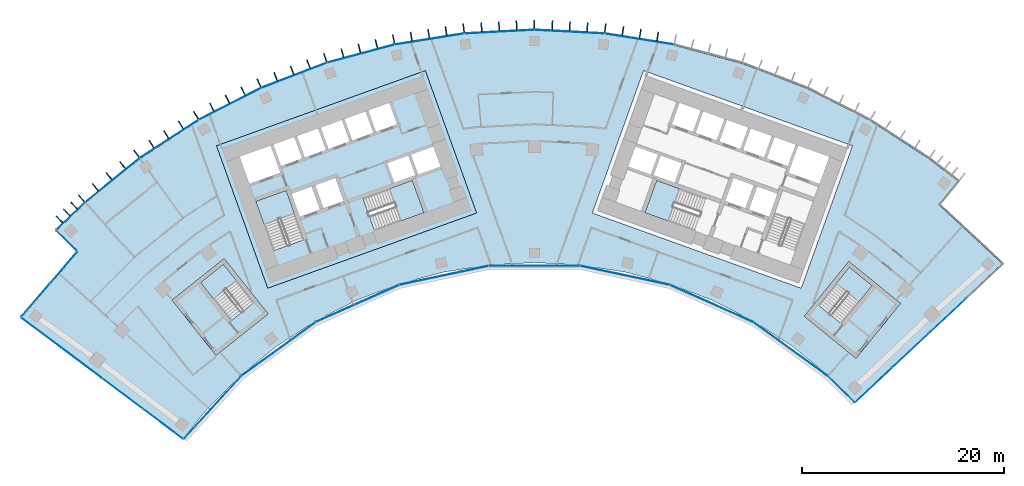
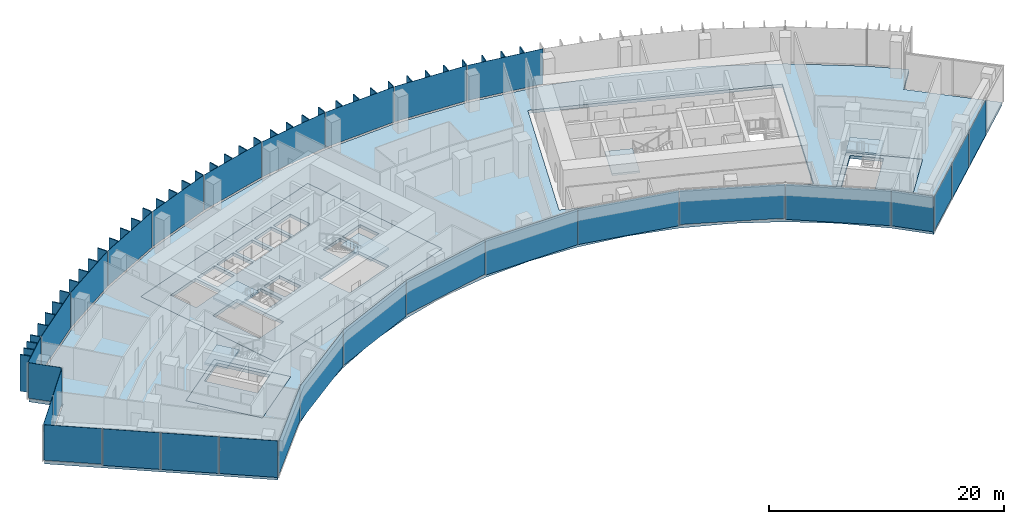
# One storey, part 12 of 21: 68 plates, 9 slabs, 11 elements without a shape of their own.
"""IFC4 building model written with IfcOpenShell, lengths in metres."""

import ifcopenshell
import ifcopenshell.guid

model = None  # the IFC model being written
_history = None  # IfcOwnerHistory: only IFC2X3 demands one
_inside = {}  # id of a spatial element -> (the spatial element, [elements in it])
_under = {}  # id of a project, library or spatial element -> (it, [spatial elements below it])
_declared = {}  # id of a project -> (the project, [libraries it declares])
_typed = {}  # id of a type object -> (the type object, [elements of that type])
_made_of = {}  # id of a material, layer set ... -> (it, [elements and type objects made of it])


def new_model(schema):
    """Start an empty IFC model of exactly this schema.

    Asked for "IFC4X3", IfcOpenShell would pick the latest addendum, in which some entities
    have other attributes; the version numbers below select the first issue.
    IFC2X3 requires an IfcOwnerHistory on every rooted entity: one is made here for all.
    """
    global model, _history
    if schema == "IFC4X3":
        model = ifcopenshell.file(schema_version=(4, 3, 0, 0))
    else:
        model = ifcopenshell.file(schema=schema)
    _inside.clear()
    _under.clear()
    _declared.clear()
    _typed.clear()
    _made_of.clear()
    _history = None
    if model.schema == "IFC2X3":
        org = make("IfcOrganization", Name="unknown")
        user = make(
            "IfcPersonAndOrganization",
            ThePerson=make("IfcPerson", FamilyName="unknown"),
            TheOrganization=org,
        )
        app = make(
            "IfcApplication",
            ApplicationDeveloper=org,
            Version="unknown",
            ApplicationFullName="unknown",
            ApplicationIdentifier="unknown",
        )
        _history = make(
            "IfcOwnerHistory",
            OwningUser=user,
            OwningApplication=app,
            ChangeAction="ADDED",
            CreationDate=0,
        )
    return model


def make(cls, **values):
    """One entity of the class cls with the attributes given. An attribute that is None is left unset."""
    return model.create_entity(
        cls, **{name: value for name, value in values.items() if value is not None}
    )


def rooted(cls, **values):
    """An entity with a GlobalId (a new one), such as an element, a storey or a relation."""
    return make(cls, GlobalId=ifcopenshell.guid.new(), OwnerHistory=_history, **values)


def si_unit(unit_type, name, prefix=None):
    """IfcSIUnit, for example si_unit("LENGTHUNIT", "METRE", prefix="MILLI")."""
    return make("IfcSIUnit", UnitType=unit_type, Prefix=prefix, Name=name)


def assignment(units):
    """IfcUnitAssignment: the units of a project."""
    return None if units is None else make("IfcUnitAssignment", Units=units)


def point(xyz):
    """IfcCartesianPoint."""
    return None if xyz is None else make("IfcCartesianPoint", Coordinates=xyz)


def direction(xyz):
    """IfcDirection."""
    return None if xyz is None else make("IfcDirection", DirectionRatios=xyz)


def frame(location, z_axis=None, x_axis=None):
    """IfcAxis2Placement3D, a coordinate frame: its origin and axes. An axis left out is left unset."""
    return make(
        "IfcAxis2Placement3D",
        Location=point(location),
        Axis=direction(z_axis),
        RefDirection=direction(x_axis),
    )


def frame_2d(location, x_axis=None):
    """IfcAxis2Placement2D, a coordinate frame in the plane: its origin and x axis."""
    return make(
        "IfcAxis2Placement2D", Location=point(location), RefDirection=direction(x_axis)
    )


def origin():
    """The frame at (0, 0, 0) with its axes left unset."""
    return frame((0.0, 0.0, 0.0))


def origin_2d():
    """The frame at (0, 0) in the plane with its x axis left unset."""
    return frame_2d((0.0, 0.0))


def place(relative_to, where):
    """IfcLocalPlacement: puts the frame where relative to a parent placement (None: the world)."""
    return make(
        "IfcLocalPlacement", PlacementRelTo=relative_to, RelativePlacement=where
    )


def context(
    kind, dimensions, precision=None, world=None, true_north=None, identifier=None
):
    """IfcGeometricRepresentationContext, for example the 3D "Model" context."""
    return make(
        "IfcGeometricRepresentationContext",
        ContextIdentifier=identifier,
        ContextType=kind,
        CoordinateSpaceDimension=dimensions,
        Precision=precision,
        WorldCoordinateSystem=world,
        TrueNorth=true_north,
    )


def subcontext(parent, identifier, kind, view, scale=None):
    """IfcGeometricRepresentationSubContext, for example "Body" below "Model"."""
    return make(
        "IfcGeometricRepresentationSubContext",
        ContextIdentifier=identifier,
        ContextType=kind,
        ParentContext=parent,
        TargetScale=scale,
        TargetView=view,
    )


def project(units=None, contexts=None):
    """IfcProject with its units and contexts."""
    return rooted(
        "IfcProject",
        Name="project",
        RepresentationContexts=contexts,
        UnitsInContext=assignment(units),
    )


def spatial(cls, under=None, at=None, **own):
    """A site, building, storey or space (cls), placed at a placement, below another one or the project."""
    s = rooted(cls, ObjectPlacement=at, **own)
    if under is not None:
        _under.setdefault(under.id(), (under, []))[1].append(s)
    return s


def polyline(points):
    """IfcPolyline through the points."""
    return make("IfcPolyline", Points=[point(p) for p in points])


def profile(cls, at=None, kind="AREA", **sizes):
    """A parametric profile (cls). Its sizes go by their IFC names, for example OverallWidth=200.0."""
    return make(cls, ProfileType=kind, Position=at, **sizes)


def rectangle(**sizes):
    """IfcRectangleProfileDef."""
    return profile("IfcRectangleProfileDef", **sizes)


def outline(outer, holes=None, kind="AREA"):
    """IfcArbitraryClosedProfileDef: a profile drawn as a closed curve; with holes, ...WithVoids."""
    if holes is None:
        return make("IfcArbitraryClosedProfileDef", ProfileType=kind, OuterCurve=outer)
    return make(
        "IfcArbitraryProfileDefWithVoids",
        ProfileType=kind,
        OuterCurve=outer,
        InnerCurves=holes,
    )


def extrude(swept, where, along, depth):
    """IfcExtrudedAreaSolid: the profile swept, set in the frame where, extruded along a direction by depth."""
    return make(
        "IfcExtrudedAreaSolid",
        SweptArea=swept,
        Position=where,
        ExtrudedDirection=direction(along),
        Depth=depth,
    )


def shape(context_of_items, identifier, shape_type, items):
    """IfcShapeRepresentation: the items that make up one representation, for example the "Body"."""
    return make(
        "IfcShapeRepresentation",
        ContextOfItems=context_of_items,
        RepresentationIdentifier=identifier,
        RepresentationType=shape_type,
        Items=items,
    )


def material(Name=None, Category=None):
    """IfcMaterial."""
    return make("IfcMaterial", Name=Name, Category=Category)


def layer(
    of_material, thickness, ventilated=None, Name=None, Category=None, Priority=None
):
    """IfcMaterialLayer: one layer of a wall or slab, of a material (None: an air gap)."""
    return make(
        "IfcMaterialLayer",
        Material=of_material,
        LayerThickness=thickness,
        IsVentilated=ventilated,
        Name=Name,
        Category=Category,
        Priority=Priority,
    )


def layer_set(layers, Name=None):
    """IfcMaterialLayerSet."""
    return make("IfcMaterialLayerSet", MaterialLayers=layers, LayerSetName=Name)


def made_of(thing, what):
    """Note that an element or type object is made of a material, layer set ...; save() writes the relation."""
    if what is not None:
        _made_of.setdefault(what.id(), (what, []))[1].append(thing)
    return thing


def type_object(cls, material=None, **own):
    """A type object (cls), such as IfcWallType, which elements share."""
    return made_of(rooted(cls, **own), material)


def element(
    cls,
    number,
    at=None,
    inside=None,
    cuts=None,
    type_object=None,
    material=None,
    context=None,
    identifier="Body",
    shape_type=None,
    held_by="IfcProductDefinitionShape",
    body=None,
    shapes=None,
    **own,
):
    """One element of the class cls, such as IfcWall. Its Tag is "e" and its number.

    at: its placement. inside: the storey or other place that contains it. cuts: it is an
    opening in that element (IfcRelVoidsElement). A single representation is given by context,
    identifier, shape_type and body (its items); several are given by shapes. held_by: the class
    of the entity that holds the representations. save() writes the other relations.
    """
    e = rooted(cls, Tag="e%d" % number, ObjectPlacement=at, **own)
    if body is not None:
        shapes = [shape(context, identifier, shape_type, body)]
    if shapes is not None:
        e.Representation = make(held_by, Representations=shapes)
    if inside is not None:
        _inside.setdefault(inside.id(), (inside, []))[1].append(e)
    if cuts is not None:
        rooted(
            "IfcRelVoidsElement", RelatingBuildingElement=cuts, RelatedOpeningElement=e
        )
    if type_object is not None:
        _typed.setdefault(type_object.id(), (type_object, []))[1].append(e)
    return made_of(e, material)


def aggregate(whole, parts):
    """IfcRelAggregates: a whole, such as a stair, and the parts it consists of."""
    return rooted("IfcRelAggregates", RelatingObject=whole, RelatedObjects=parts)


def save(model, path):
    """Write the relations noted so far, then the file.

    IfcRelAggregates (storeys below a building ...), IfcRelContainedInSpatialStructure (elements
    in a storey), IfcRelDefinesByType, IfcRelAssociatesMaterial and IfcRelDeclares: one each for
    every whole, place, type object, material and project.
    """
    for whole, parts in _under.values():
        aggregate(whole, parts)
    for where, things in _inside.values():
        rooted(
            "IfcRelContainedInSpatialStructure",
            RelatedElements=things,
            RelatingStructure=where,
        )
    for kind, things in _typed.values():
        rooted("IfcRelDefinesByType", RelatedObjects=things, RelatingType=kind)
    for what, things in _made_of.values():
        rooted("IfcRelAssociatesMaterial", RelatedObjects=things, RelatingMaterial=what)
    for by, libraries in _declared.values():
        rooted("IfcRelDeclares", RelatingContext=by, RelatedDefinitions=libraries)
    model.write(path)


model = new_model("IFC4")

# Units and contexts
model_context = context("Model", 3, precision=1e-05, world=origin(), true_north=direction((0.0, 1.0)))
body_context = subcontext(model_context, "Body", "Model", "MODEL_VIEW")
ifc_project = project(units=[si_unit("LENGTHUNIT", "METRE"), si_unit("AREAUNIT", "SQUARE_METRE"), si_unit("VOLUMEUNIT", "CUBIC_METRE"), si_unit("PLANEANGLEUNIT", "RADIAN"), si_unit("MASSUNIT", "GRAM", prefix="KILO")], contexts=[model_context])

# Site, building, storey
site_placement = place(None, origin())
site = spatial("IfcSite", under=ifc_project, at=site_placement, CompositionType="ELEMENT")
building_placement = place(site_placement, origin())
building = spatial("IfcBuilding", under=site, at=building_placement, Name="Stone Belt Terrace Tower", CompositionType="ELEMENT")
storey_placement = place(building_placement, frame((0.0, 0.0, 189.60009765625)))
storey = spatial("IfcBuildingStorey", under=building, at=storey_placement, Name="L46", CompositionType="ELEMENT", Elevation=189.60009765625)

# Curtain wall, plates
ifc_material_1 = material(Name="Aluminium 6063-T6 anodised frame", Category="aluminium")
ifc_layer_1 = layer(ifc_material_1, 0.14990234375)
ifc_layer_set_1 = layer_set([ifc_layer_1], Name="CW-A unitised convex-face curtain wall")
curtain_wall_type_1 = type_object("IfcCurtainWallType", Name="CW-A unitised convex-face curtain wall", PredefinedType="NOTDEFINED", material=ifc_layer_set_1)
curtain_wall_1_placement = place(storey_placement, origin())
curtain_wall_1 = element("IfcCurtainWall", 1, at=curtain_wall_1_placement, inside=storey, type_object=curtain_wall_type_1, Name="CW-A convex face L46", PredefinedType="NOTDEFINED")
ifc_material_2 = material(Name="Clear double glazed unit")
ifc_layer_2 = layer(ifc_material_2, 0.031982421875)
ifc_layer_set_2 = layer_set([ifc_layer_2], Name="CW-A glass panel 32")
plate_type_1 = type_object("IfcPlateType", Name="CW-A glass panel 32", PredefinedType="CURTAIN_PANEL", material=ifc_layer_set_2)
plate_1_placement = place(storey_placement, frame((10.400390625, 65.665283203125, 0.14013671875), z_axis=(0.0, 0.0, 1.0), x_axis=(-0.987688340595, 0.15643446504, 0.0)))
plate_1 = element("IfcPlate", 2, at=plate_1_placement, type_object=plate_type_1, Name="CW-A panel 6.1", PredefinedType="CURTAIN_PANEL", context=body_context, shape_type="SweptSolid", body=[
    extrude(rectangle(XDim=6.90087890625, YDim=0.031982421875, at=origin_2d()), origin(), (0.0, 0.0, 1.0), 3.659912109375),
])
plate_2_placement = place(storey_placement, frame((3.4794921875, 66.392822265625, 0.14013671875), z_axis=(0.0, 0.0, 1.0), x_axis=(-0.998629534755, 0.052335956243, 0.0)))
plate_2 = element("IfcPlate", 3, at=plate_2_placement, type_object=plate_type_1, Name="CW-A panel 7.1", PredefinedType="CURTAIN_PANEL", context=body_context, shape_type="SweptSolid", body=[
    extrude(rectangle(XDim=6.90087890625, YDim=0.031982421875, at=origin_2d()), origin(), (0.0, 0.0, 1.0), 3.659912109375),
])
plate_3_placement = place(storey_placement, frame((-3.4794921875, 66.392822265625, 0.14013671875), z_axis=(0.0, 0.0, 1.0), x_axis=(-0.998629534755, -0.052335956243, 0.0)))
plate_3 = element("IfcPlate", 4, at=plate_3_placement, type_object=plate_type_1, Name="CW-A panel 8.1", PredefinedType="CURTAIN_PANEL", context=body_context, shape_type="SweptSolid", body=[
    extrude(rectangle(XDim=6.90087890625, YDim=0.031982421875, at=origin_2d()), origin(), (0.0, 0.0, 1.0), 3.659912109375),
])
plate_4_placement = place(storey_placement, frame((-10.400390625, 65.665283203125, 0.14013671875), z_axis=(0.0, 0.0, 1.0), x_axis=(-0.987688340595, -0.15643446504, 0.0)))
plate_4 = element("IfcPlate", 5, at=plate_4_placement, type_object=plate_type_1, Name="CW-A panel 9.1", PredefinedType="CURTAIN_PANEL", context=body_context, shape_type="SweptSolid", body=[
    extrude(rectangle(XDim=6.90087890625, YDim=0.031982421875, at=origin_2d()), origin(), (0.0, 0.0, 1.0), 3.659912109375),
])
plate_5_placement = place(storey_placement, frame((-17.207275390625, 64.218505859375, 0.14013671875), z_axis=(0.0, 0.0, 1.0), x_axis=(-0.965925826289, -0.258819045103, 0.0)))
plate_5 = element("IfcPlate", 6, at=plate_5_placement, type_object=plate_type_1, Name="CW-A panel 10.1", PredefinedType="CURTAIN_PANEL", context=body_context, shape_type="SweptSolid", body=[
    extrude(rectangle(XDim=6.90087890625, YDim=0.031982421875, at=origin_2d()), origin(), (0.0, 0.0, 1.0), 3.659912109375),
])
plate_6_placement = place(storey_placement, frame((-23.82568359375, 62.068115234375, 0.14013671875), z_axis=(0.0, 0.0, 1.0), x_axis=(-0.933580426497, -0.358367949545, 0.0)))
plate_6 = element("IfcPlate", 7, at=plate_6_placement, type_object=plate_type_1, Name="CW-A panel 11.1", PredefinedType="CURTAIN_PANEL", context=body_context, shape_type="SweptSolid", body=[
    extrude(rectangle(XDim=6.90087890625, YDim=0.031982421875, at=origin_2d()), origin(), (0.0, 0.0, 1.0), 3.659912109375),
])
plate_7_placement = place(storey_placement, frame((-30.18310546875, 59.237548828125, 0.14013671875), z_axis=(0.0, 0.0, 1.0), x_axis=(-0.891006524188, -0.45399049974, 0.0)))
plate_7 = element("IfcPlate", 8, at=plate_7_placement, type_object=plate_type_1, Name="CW-A panel 12.1", PredefinedType="CURTAIN_PANEL", context=body_context, shape_type="SweptSolid", body=[
    extrude(rectangle(XDim=6.90087890625, YDim=0.031982421875, at=origin_2d()), origin(), (0.0, 0.0, 1.0), 3.659912109375),
])
plate_8_placement = place(storey_placement, frame((-36.209716796875, 55.758056640625, 0.14013671875), z_axis=(0.0, 0.0, 1.0), x_axis=(-0.838670567945, -0.544639035015, 0.0)))
plate_8 = element("IfcPlate", 9, at=plate_8_placement, type_object=plate_type_1, Name="CW-A panel 13.1", PredefinedType="CURTAIN_PANEL", context=body_context, shape_type="SweptSolid", body=[
    extrude(rectangle(XDim=6.90087890625, YDim=0.031982421875, at=origin_2d()), origin(), (0.0, 0.0, 1.0), 3.659912109375),
])
plate_9_placement = place(storey_placement, frame((-41.839599609375, 51.667724609375, 0.14013671875), z_axis=(0.0, 0.0, 1.0), x_axis=(-0.777145961457, -0.62932039105, 0.0)))
plate_9 = element("IfcPlate", 10, at=plate_9_placement, type_object=plate_type_1, Name="CW-A panel 14.1", PredefinedType="CURTAIN_PANEL", context=body_context, shape_type="SweptSolid", body=[
    extrude(rectangle(XDim=6.900634765625, YDim=0.031982421875, at=origin_2d()), origin(), (0.0, 0.0, 1.0), 3.659912109375),
])
plate_10_placement = place(storey_placement, frame((-45.9765625, 48.109619140625, 0.14013671875), z_axis=(0.0, 0.0, 1.0), x_axis=(-0.723120883539, -0.690721497993, 0.0)))
plate_10 = element("IfcPlate", 11, at=plate_10_placement, type_object=plate_type_1, Name="CW-A panel 15.1", PredefinedType="CURTAIN_PANEL", context=body_context, shape_type="SweptSolid", body=[
    extrude(rectangle(XDim=3.888671875, YDim=0.031982421875, at=origin_2d()), origin(), (0.0, 0.0, 1.0), 3.659912109375),
])
aggregate(curtain_wall_1, [plate_1, plate_2, plate_3, plate_4, plate_5, plate_6, plate_7, plate_8, plate_9, plate_10])

ifc_layer_3 = layer(ifc_material_1, 0.14990234375)
ifc_layer_set_3 = layer_set([ifc_layer_3], Name="CW-B unitised concave-face curtain wall")
curtain_wall_type_2 = type_object("IfcCurtainWallType", Name="CW-B unitised concave-face curtain wall", PredefinedType="NOTDEFINED", material=ifc_layer_set_3)
curtain_wall_2_placement = place(storey_placement, origin())
curtain_wall_2 = element("IfcCurtainWall", 12, at=curtain_wall_2_placement, inside=storey, type_object=curtain_wall_type_2, Name="CW-B concave face L46", PredefinedType="NOTDEFINED")
ifc_layer_4 = layer(ifc_material_2, 0.030029296875)
ifc_layer_set_4 = layer_set([ifc_layer_4], Name="CW-B glass panel 30")
plate_type_2 = type_object("IfcPlateType", Name="CW-B glass panel 30", PredefinedType="CURTAIN_PANEL", material=ifc_layer_set_4)
plate_11_placement = place(storey_placement, frame((-31.9111328125, 29.148681640625, 0.119873046875), z_axis=(0.0, 0.0, 1.0), x_axis=(0.674760998748, 0.73803630979, 0.0)))
plate_11 = element("IfcPlate", 13, at=plate_11_placement, type_object=plate_type_2, Name="CW-B panel 1.1", PredefinedType="CURTAIN_PANEL", context=body_context, shape_type="SweptSolid", body=[
    extrude(rectangle(XDim=8.39501953125, YDim=0.030029296875, at=origin_2d()), origin(), (0.0, 0.0, 1.0), 3.56005859375),
])
plate_12_placement = place(storey_placement, frame((-25.384765625, 34.938720703125, 0.0), z_axis=(0.0, 0.0, 1.0), x_axis=(0.809016994375, 0.587785252292, 0.0)))
plate_12 = element("IfcPlate", 14, at=plate_12_placement, type_object=plate_type_2, Name="CW-B panel 2.1", PredefinedType="CURTAIN_PANEL", context=body_context, shape_type="SweptSolid", body=[
    extrude(rectangle(XDim=9.013427734375, YDim=0.030029296875, at=origin_2d()), origin(), (0.0, 0.0, 1.0), 3.679931640625),
])
plate_13_placement = place(storey_placement, frame((-17.565673828125, 39.453125, 0.0), z_axis=(0.0, 0.0, 1.0), x_axis=(0.913545457643, 0.406736643076, 0.0)))
plate_13 = element("IfcPlate", 15, at=plate_13_placement, type_object=plate_type_2, Name="CW-B panel 3.1", PredefinedType="CURTAIN_PANEL", context=body_context, shape_type="SweptSolid", body=[
    extrude(rectangle(XDim=9.0126953125, YDim=0.030029296875, at=origin_2d()), origin(), (0.0, 0.0, 1.0), 3.679931640625),
])
plate_14_placement = place(storey_placement, frame((-8.97900390625, 42.242919921875, 0.119873046875), z_axis=(0.0, 0.0, 1.0), x_axis=(0.978147600734, 0.207911690818, 0.0)))
plate_14 = element("IfcPlate", 16, at=plate_14_placement, type_object=plate_type_2, Name="CW-B panel 4.1", PredefinedType="CURTAIN_PANEL", context=body_context, shape_type="SweptSolid", body=[
    extrude(rectangle(XDim=9.0126953125, YDim=0.030029296875, at=origin_2d()), origin(), (0.0, 0.0, 1.0), 3.56005859375),
])
plate_15_placement = place(storey_placement, frame((0.0, 43.186767578125, 0.0), z_axis=(0.0, 0.0, 1.0), x_axis=(1.0, 0.0, 0.0)))
plate_15 = element("IfcPlate", 17, at=plate_15_placement, type_object=plate_type_2, Name="CW-B panel 5.1", PredefinedType="CURTAIN_PANEL", context=body_context, shape_type="SweptSolid", body=[
    extrude(rectangle(XDim=9.0126953125, YDim=0.030029296875, at=origin_2d()), origin(), (0.0, 0.0, 1.0), 3.679931640625),
])
plate_16_placement = place(storey_placement, frame((8.97900390625, 42.242919921875, 0.0), z_axis=(0.0, 0.0, 1.0), x_axis=(0.978147600734, -0.207911690818, 0.0)))
plate_16 = element("IfcPlate", 18, at=plate_16_placement, type_object=plate_type_2, Name="CW-B panel 6.1", PredefinedType="CURTAIN_PANEL", context=body_context, shape_type="SweptSolid", body=[
    extrude(rectangle(XDim=9.0126953125, YDim=0.030029296875, at=origin_2d()), origin(), (0.0, 0.0, 1.0), 3.679931640625),
])
plate_17_placement = place(storey_placement, frame((17.565673828125, 39.453125, 0.119873046875), z_axis=(0.0, 0.0, 1.0), x_axis=(0.913545457643, -0.406736643076, 0.0)))
plate_17 = element("IfcPlate", 19, at=plate_17_placement, type_object=plate_type_2, Name="CW-B panel 7.1", PredefinedType="CURTAIN_PANEL", context=body_context, shape_type="SweptSolid", body=[
    extrude(rectangle(XDim=9.0126953125, YDim=0.030029296875, at=origin_2d()), origin(), (0.0, 0.0, 1.0), 3.56005859375),
])
plate_18_placement = place(storey_placement, frame((25.386474609375, 34.9375, 0.0), z_axis=(0.0, 0.0, 1.0), x_axis=(0.809016994375, -0.587785252292, 0.0)))
plate_18 = element("IfcPlate", 20, at=plate_18_placement, type_object=plate_type_2, Name="CW-B panel 8.1", PredefinedType="CURTAIN_PANEL", context=body_context, shape_type="SweptSolid", body=[
    extrude(rectangle(XDim=9.017333984375, YDim=0.030029296875, at=origin_2d()), origin(), (0.0, 0.0, 1.0), 3.679931640625),
])
plate_19_placement = place(storey_placement, frame((30.39013671875, 30.9638671875, 0.0), z_axis=(0.0, 0.0, 1.0), x_axis=(0.713994037945, -0.700151779102, 0.0)))
plate_19 = element("IfcPlate", 21, at=plate_19_placement, type_object=plate_type_2, Name="CW-B panel 9.1", PredefinedType="CURTAIN_PANEL", context=body_context, shape_type="SweptSolid", body=[
    extrude(rectangle(XDim=3.66845703125, YDim=0.030029296875, at=origin_2d()), origin(), (0.0, 0.0, 1.0), 3.679931640625),
])
aggregate(curtain_wall_2, [plate_11, plate_12, plate_13, plate_14, plate_15, plate_16, plate_17, plate_18, plate_19])

ifc_layer_5 = layer(ifc_material_1, 0.14990234375)
ifc_layer_set_5 = layer_set([ifc_layer_5], Name="CW-C stick curtain wall, horn ends and notches")
curtain_wall_type_3 = type_object("IfcCurtainWallType", Name="CW-C stick curtain wall, horn ends and notches", PredefinedType="NOTDEFINED", material=ifc_layer_set_5)
curtain_wall_3_placement = place(storey_placement, origin())
curtain_wall_3 = element("IfcCurtainWall", 22, at=curtain_wall_3_placement, inside=storey, type_object=curtain_wall_type_3, Name="CW-C end face L46", PredefinedType="NOTDEFINED")
ifc_layer_6 = layer(ifc_material_2, 0.028076171875)
ifc_layer_set_6 = layer_set([ifc_layer_6], Name="CW-C glass panel 28")
plate_type_3 = type_object("IfcPlateType", Name="CW-C glass panel 28", PredefinedType="CURTAIN_PANEL", material=ifc_layer_set_6)
plate_20_placement = place(storey_placement, frame((33.616455078125, 31.37890625, 0.119873046875), z_axis=(0.0, 0.0, 1.0), x_axis=(0.729904219708, 0.683549434973, 0.0)))
plate_20 = element("IfcPlate", 23, at=plate_20_placement, type_object=plate_type_3, Name="CW-C panel 1.1", PredefinedType="CURTAIN_PANEL", context=body_context, shape_type="SweptSolid", body=[
    extrude(rectangle(XDim=4.96826171875, YDim=0.028076171875, at=origin_2d()), origin(), (0.0, 0.0, 1.0), 3.56005859375),
])
plate_21_placement = place(storey_placement, frame((37.2763671875, 34.806396484375, 0.0), z_axis=(0.0, 0.0, 1.0), x_axis=(0.729904219708, 0.683549434973, 0.0)))
plate_21 = element("IfcPlate", 24, at=plate_21_placement, type_object=plate_type_3, Name="CW-C panel 2.1", PredefinedType="CURTAIN_PANEL", context=body_context, shape_type="SweptSolid", body=[
    extrude(rectangle(XDim=4.93994140625, YDim=0.028076171875, at=origin_2d()), origin(), (0.0, 0.0, 1.0), 3.679931640625),
])
plate_22_placement = place(storey_placement, frame((40.92578125, 38.22412109375, 0.0), z_axis=(0.0, 0.0, 1.0), x_axis=(0.729904219708, 0.683549434973, 0.0)))
plate_22 = element("IfcPlate", 25, at=plate_22_placement, type_object=plate_type_3, Name="CW-C panel 3.1", PredefinedType="CURTAIN_PANEL", context=body_context, shape_type="SweptSolid", body=[
    extrude(rectangle(XDim=4.93994140625, YDim=0.028076171875, at=origin_2d()), origin(), (0.0, 0.0, 1.0), 3.679931640625),
])
aggregate(curtain_wall_3, [plate_20, plate_21, plate_22])

# Curtain wall, plate
curtain_wall_4_placement = place(storey_placement, origin())
curtain_wall_4 = element("IfcCurtainWall", 26, at=curtain_wall_4_placement, inside=storey, type_object=curtain_wall_type_3, Name="CW-C notch face L46", PredefinedType="NOTDEFINED")
plate_23_placement = place(storey_placement, frame((-46.365966796875, 45.658447265625, 0.1201171875), z_axis=(0.0, 0.0, 1.0), x_axis=(0.711713447851, -0.702469905511, 0.0)))
plate_23 = element("IfcPlate", 27, at=plate_23_placement, type_object=plate_type_3, Name="CW-C panel 1.1", PredefinedType="CURTAIN_PANEL", context=body_context, shape_type="SweptSolid", body=[
    extrude(rectangle(XDim=2.859375, YDim=0.028076171875, at=origin_2d()), origin(), (0.0, 0.0, 1.0), 3.679931640625),
])
aggregate(curtain_wall_4, [plate_23])

# Curtain wall, plates
curtain_wall_5_placement = place(storey_placement, origin())
curtain_wall_5 = element("IfcCurtainWall", 28, at=curtain_wall_5_placement, inside=storey, type_object=curtain_wall_type_3, Name="CW-C notch face L46", PredefinedType="NOTDEFINED")
plate_24_placement = place(storey_placement, frame((-46.68896484375, 42.986572265625, 0.1201171875), z_axis=(0.0, 0.0, 1.0), x_axis=(-0.652737860281, -0.757583847343, 0.0)))
plate_24 = element("IfcPlate", 29, at=plate_24_placement, type_object=plate_type_3, Name="CW-C panel 1.1", PredefinedType="CURTAIN_PANEL", context=body_context, shape_type="SweptSolid", body=[
    extrude(rectangle(XDim=4.12060546875, YDim=0.028076171875, at=origin_2d()), origin(), (0.0, 0.0, 1.0), 3.679931640625),
])
plate_25_placement = place(storey_placement, frame((-49.466064453125, 39.76318359375, 0.0), z_axis=(0.0, 0.0, 1.0), x_axis=(-0.652737860281, -0.757583847343, 0.0)))
plate_25 = element("IfcPlate", 30, at=plate_25_placement, type_object=plate_type_3, Name="CW-C panel 2.1", PredefinedType="CURTAIN_PANEL", context=body_context, shape_type="SweptSolid", body=[
    extrude(rectangle(XDim=4.268798828125, YDim=0.028076171875, at=origin_2d()), origin(), (0.0, 0.0, 1.0), 3.800048828125),
])
aggregate(curtain_wall_5, [plate_24, plate_25])

curtain_wall_6_placement = place(storey_placement, origin())
curtain_wall_6 = element("IfcCurtainWall", 31, at=curtain_wall_6_placement, inside=storey, type_object=curtain_wall_type_3, Name="CW-C end face L46", PredefinedType="NOTDEFINED")
plate_26_placement = place(storey_placement, frame((-48.858154296875, 36.551513671875, 0.1201171875), z_axis=(0.0, 0.0, 1.0), x_axis=(0.799986505357, -0.600017992436, 0.0)))
plate_26 = element("IfcPlate", 32, at=plate_26_placement, type_object=plate_type_3, Name="CW-C panel 1.1", PredefinedType="CURTAIN_PANEL", context=body_context, shape_type="SweptSolid", body=[
    extrude(rectangle(XDim=4.974853515625, YDim=0.028076171875, at=origin_2d()), origin(), (0.0, 0.0, 1.0), 3.679931640625),
])
plate_27_placement = place(storey_placement, frame((-44.84423828125, 33.541015625, 0.0), z_axis=(0.0, 0.0, 1.0), x_axis=(0.799986505357, -0.600017992436, 0.0)))
plate_27 = element("IfcPlate", 33, at=plate_27_placement, type_object=plate_type_3, Name="CW-C panel 2.1", PredefinedType="CURTAIN_PANEL", context=body_context, shape_type="SweptSolid", body=[
    extrude(rectangle(XDim=4.93994140625, YDim=0.028076171875, at=origin_2d()), origin(), (0.0, 0.0, 1.0), 3.800048828125),
])
plate_28_placement = place(storey_placement, frame((-40.84423828125, 30.541015625, 0.0), z_axis=(0.0, 0.0, 1.0), x_axis=(0.799986505357, -0.600017992436, 0.0)))
plate_28 = element("IfcPlate", 34, at=plate_28_placement, type_object=plate_type_3, Name="CW-C panel 3.1", PredefinedType="CURTAIN_PANEL", context=body_context, shape_type="SweptSolid", body=[
    extrude(rectangle(XDim=4.93994140625, YDim=0.028076171875, at=origin_2d()), origin(), (0.0, 0.0, 1.0), 3.800048828125),
])
plate_29_placement = place(storey_placement, frame((-36.834228515625, 27.533203125, 0.0), z_axis=(0.0, 0.0, 1.0), x_axis=(0.799986505357, -0.600017992436, 0.0)))
plate_29 = element("IfcPlate", 35, at=plate_29_placement, type_object=plate_type_3, Name="CW-C panel 4.1", PredefinedType="CURTAIN_PANEL", context=body_context, shape_type="SweptSolid", body=[
    extrude(rectangle(XDim=4.96533203125, YDim=0.028076171875, at=origin_2d()), origin(), (0.0, 0.0, 1.0), 3.800048828125),
])
aggregate(curtain_wall_6, [plate_26, plate_27, plate_28, plate_29])

# Slabs
ifc_material_3 = material(Name="Concrete B40", Category="concrete")
ifc_layer_7 = layer(ifc_material_3, 0.320068359375)
ifc_layer_set_7 = layer_set([ifc_layer_7], Name="Core floor slab 320")
slab_type_1 = type_object("IfcSlabType", Name="Core floor slab 320", PredefinedType="FLOOR", material=ifc_layer_set_7)
slab_1_placement = place(storey_placement, frame((0.0, 0.0, -0.320068359375)))
element("IfcSlab", 36, at=slab_1_placement, inside=storey, type_object=slab_type_1, Name="Core A floor L46", PredefinedType="FLOOR", context=body_context, shape_type="SweptSolid", body=[
    extrude(outline(polyline([(-26.43505859375, 40.968994140625), (-5.735107421875, 48.4189453125), (-10.81396484375, 62.531982421875), (-31.513916015625, 55.0830078125), (-26.43505859375, 40.968994140625)]), holes=[polyline([(-24.60791015625, 50.659912109375), (-22.847900390625, 45.76806640625), (-25.85888671875, 44.68408203125), (-27.618896484375, 49.575927734375), (-24.60791015625, 50.659912109375)]), polyline([(-23.25, 48.06689453125), (-24.06298828125, 50.324951171875), (-22.0869140625, 51.035888671875), (-21.27392578125, 48.778076171875), (-23.25, 48.06689453125)]), polyline([(-20.89794921875, 48.9130859375), (-21.7109375, 51.1708984375), (-19.735107421875, 51.883056640625), (-18.922119140625, 49.6240234375), (-20.89794921875, 48.9130859375)]), polyline([(-28.24609375, 51.31689453125), (-29.2109375, 53.9990234375), (-26.153076171875, 55.09912109375), (-25.18798828125, 52.41796875), (-28.24609375, 51.31689453125)]), polyline([(-23.801025390625, 55.946044921875), (-23.0390625, 53.8291015625), (-25.10888671875, 53.083984375), (-25.87109375, 55.200927734375), (-23.801025390625, 55.946044921875)]), polyline([(-21.447998046875, 56.7919921875), (-20.68603515625, 54.675048828125), (-22.756103515625, 53.929931640625), (-23.51806640625, 56.047119140625), (-21.447998046875, 56.7919921875)]), polyline([(-10.955078125, 48.452880859375), (-15.846923828125, 46.69189453125), (-16.998046875, 49.89208984375), (-12.10595703125, 51.652099609375), (-10.955078125, 48.452880859375)]), polyline([(-11.847900390625, 52.116943359375), (-11.864990234375, 52.1640625), (-13.887939453125, 51.43603515625), (-14.58203125, 53.364990234375), (-12.511962890625, 54.110107421875), (-11.801025390625, 52.134033203125), (-11.847900390625, 52.116943359375)]), polyline([(-9.30810546875, 53.031005859375), (-11.51904296875, 52.235107421875), (-12.22998046875, 54.2109375), (-10.01904296875, 55.007080078125), (-9.30810546875, 53.031005859375)]), polyline([(-21.166015625, 56.89404296875), (-19.095947265625, 57.638916015625), (-18.333984375, 55.52197265625), (-20.404052734375, 54.777099609375), (-21.166015625, 56.89404296875)]), polyline([(-16.743896484375, 58.485107421875), (-15.98193359375, 56.367919921875), (-18.052001953125, 55.623046875), (-18.81396484375, 57.739990234375), (-16.743896484375, 58.485107421875)]), polyline([(-14.39111328125, 59.33203125), (-13.6298828125, 57.215087890625), (-15.699951171875, 56.469970703125), (-16.4609375, 58.5869140625), (-14.39111328125, 59.33203125)])]), origin(), (0.0, 0.0, 1.0), 0.320068359375),
])
slab_2_placement = place(storey_placement, frame((0.0, 0.0, -0.320068359375)))
element("IfcSlab", 37, at=slab_2_placement, inside=storey, type_object=slab_type_1, Name="Exit stair ST3A floor L46", PredefinedType="FLOOR", context=body_context, shape_type="SweptSolid", body=[
    extrude(outline(polyline([(-26.39404296875, 38.425048828125), (-30.756103515625, 43.89990234375), (-35.91796875, 39.787109375), (-31.555908203125, 34.31298828125), (-26.39404296875, 38.425048828125)]), holes=[polyline([(-27.798095703125, 39.544921875), (-30.06591796875, 37.738037109375), (-33.087890625, 41.531005859375), (-30.820068359375, 43.337890625), (-27.798095703125, 39.544921875)])]), origin(), (0.0, 0.0, 1.0), 0.320068359375),
])
slab_3_placement = place(storey_placement, frame((0.0, 0.0, -0.320068359375)))
element("IfcSlab", 38, at=slab_3_placement, inside=storey, type_object=slab_type_1, Name="Exit stair ST3B floor L46", PredefinedType="FLOOR", context=body_context, shape_type="SweptSolid", body=[
    extrude(outline(polyline([(26.741943359375, 38.18408203125), (31.866943359375, 34.02392578125), (36.278076171875, 39.458984375), (31.154052734375, 43.618896484375), (26.741943359375, 38.18408203125)]), holes=[polyline([(30.407958984375, 37.462890625), (28.156005859375, 39.291015625), (31.2119140625, 43.055908203125), (33.464111328125, 41.22802734375), (30.407958984375, 37.462890625)])]), origin(), (0.0, 0.0, 1.0), 0.320068359375),
])
ifc_layer_8 = layer(ifc_material_3, 0.320068359375)
ifc_layer_set_8 = layer_set([ifc_layer_8], Name="Floor slab 320 B40")
slab_type_2 = type_object("IfcSlabType", Name="Floor slab 320 B40", PredefinedType="FLOOR", material=ifc_layer_set_8)
slab_4_placement = place(storey_placement, frame((0.0, 0.0, -0.320068359375)))
element("IfcSlab", 39, at=slab_4_placement, inside=storey, type_object=slab_type_2, Name="Floor slab L46", PredefinedType="FLOOR", context=body_context, shape_type="SweptSolid", body=[
    extrude(outline(polyline([(-44.497314453125, 49.419189453125), (-39.087646484375, 53.799560546875), (-33.25, 57.5908203125), (-27.048095703125, 60.750732421875), (-20.549560546875, 63.245361328125), (-13.826171875, 65.046875), (-6.951171875, 66.1357421875), (0.0, 66.5), (6.951171875, 66.1357421875), (13.826171875, 65.046875), (20.549560546875, 63.245361328125), (27.048095703125, 60.750732421875), (33.25, 57.5908203125), (39.087646484375, 53.799560546875), (41.961669921875, 51.589599609375), (40.068603515625, 49.26220703125), (46.348876953125, 43.405517578125), (31.750732421875, 29.734375), (29.107177734375, 32.326904296875), (25.568603515625, 35.192138671875), (21.75, 37.672119140625), (17.693115234375, 39.7392578125), (13.442138671875, 41.37109375), (9.044189453125, 42.54931640625), (4.547119140625, 43.26171875), (0.0, 43.5), (-4.547119140625, 43.26171875), (-9.044189453125, 42.54931640625), (-13.442138671875, 41.37109375), (-17.693115234375, 39.7392578125), (-21.75, 37.672119140625), (-25.568603515625, 35.192138671875), (-29.107177734375, 32.326904296875), (-32.326904296875, 29.107177734375), (-34.79931640625, 26.100830078125), (-50.799072265625, 38.10107421875), (-45.19384765625, 44.606689453125), (-47.328857421875, 46.714111328125), (-44.497314453125, 49.419189453125)]), holes=[polyline([(-26.434814453125, 40.968994140625), (-5.734619140625, 48.418701171875), (-10.81396484375, 62.532470703125), (-31.51416015625, 55.082763671875), (-26.434814453125, 40.968994140625)]), polyline([(10.81396484375, 62.532470703125), (5.734619140625, 48.418701171875), (26.434814453125, 40.968994140625), (31.51416015625, 55.082763671875), (10.81396484375, 62.532470703125)]), polyline([(-35.91796875, 39.787353515625), (-31.55615234375, 34.3125), (-26.39404296875, 38.425048828125), (-30.756103515625, 43.89990234375), (-35.91796875, 39.787353515625)]), polyline([(36.2783203125, 39.459228515625), (31.15380859375, 43.61865234375), (26.742431640625, 38.18359375), (31.86669921875, 34.024169921875), (36.2783203125, 39.459228515625)])]), origin(), (0.0, 0.0, 1.0), 0.320068359375),
])

# Stair, slab
stair_type = type_object("IfcStairType", Name="Exit stair 1500", PredefinedType="HALF_TURN_STAIR", material=ifc_material_3)
stair_1_placement = place(storey_placement, origin())
stair_1 = element("IfcStair", 40, at=stair_1_placement, inside=storey, type_object=stair_type, Name="L46 Exit stair 1 core A", PredefinedType="HALF_TURN_STAIR")
ifc_layer_9 = layer(ifc_material_3, 0.199951171875)
ifc_layer_set_9 = layer_set([ifc_layer_9], Name="Stair landing 200")
slab_type_3 = type_object("IfcSlabType", Name="Stair landing 200", PredefinedType="LANDING", material=ifc_layer_set_9)
slab_5_placement = place(storey_placement, frame((0.0, 0.0, 1.699951171875)))
slab_5 = element("IfcSlab", 41, at=slab_5_placement, type_object=slab_type_3, Name="ST1A landing 1", PredefinedType="LANDING", context=body_context, shape_type="SweptSolid", body=[
    extrude(outline(polyline([(-23.79541015625, 48.40087890625), (-24.6083984375, 50.659912109375), (-27.619384765625, 49.576171875), (-26.806396484375, 47.3173828125), (-23.79541015625, 48.40087890625)])), origin(), (0.0, 0.0, 1.0), 0.199951171875),
])
aggregate(stair_1, [slab_5])

stair_2_placement = place(storey_placement, origin())
stair_2 = element("IfcStair", 42, at=stair_2_placement, inside=storey, type_object=stair_type, Name="L46 Exit stair 2 core A", PredefinedType="HALF_TURN_STAIR")
slab_6_placement = place(storey_placement, frame((0.0, 0.0, 1.699951171875)))
slab_6 = element("IfcSlab", 43, at=slab_6_placement, type_object=slab_type_3, Name="ST2A landing 1", PredefinedType="LANDING", context=body_context, shape_type="SweptSolid", body=[
    extrude(outline(polyline([(-13.213623046875, 47.64013671875), (-10.95458984375, 48.453125), (-12.10595703125, 51.652099609375), (-14.36474609375, 50.839111328125), (-13.213623046875, 47.64013671875)])), origin(), (0.0, 0.0, 1.0), 0.199951171875),
])
aggregate(stair_2, [slab_6])

stair_3_placement = place(storey_placement, origin())
stair_3 = element("IfcStair", 44, at=stair_3_placement, inside=storey, type_object=stair_type, Name="L46 Exit stair 2 core B", PredefinedType="HALF_TURN_STAIR")
slab_7_placement = place(storey_placement, frame((0.0, 0.0, 1.699951171875)))
slab_7 = element("IfcSlab", 45, at=slab_7_placement, type_object=slab_type_3, Name="ST2B landing 1", PredefinedType="LANDING", context=body_context, shape_type="SweptSolid", body=[
    extrude(outline(polyline([(14.36474609375, 50.839111328125), (12.10595703125, 51.652099609375), (10.95458984375, 48.453125), (13.213623046875, 47.64013671875), (14.36474609375, 50.839111328125)])), origin(), (0.0, 0.0, 1.0), 0.199951171875),
])
aggregate(stair_3, [slab_7])

stair_4_placement = place(storey_placement, origin())
stair_4 = element("IfcStair", 46, at=stair_4_placement, inside=storey, type_object=stair_type, Name="L46 Exit stair 3A", PredefinedType="HALF_TURN_STAIR")
slab_8_placement = place(storey_placement, frame((0.0, 0.0, 1.699951171875)))
slab_8 = element("IfcSlab", 47, at=slab_8_placement, type_object=slab_type_3, Name="ST3A landing 1", PredefinedType="LANDING", context=body_context, shape_type="SweptSolid", body=[
    extrude(outline(polyline([(-29.541748046875, 41.73388671875), (-30.819580078125, 43.337890625), (-33.087646484375, 41.53076171875), (-31.809814453125, 39.9267578125), (-29.541748046875, 41.73388671875)])), origin(), (0.0, 0.0, 1.0), 0.199951171875),
])
aggregate(stair_4, [slab_8])

stair_5_placement = place(storey_placement, origin())
stair_5 = element("IfcStair", 48, at=stair_5_placement, inside=storey, type_object=stair_type, Name="L46 Exit stair 3B", PredefinedType="HALF_TURN_STAIR")
slab_9_placement = place(storey_placement, frame((0.0, 0.0, 1.699951171875)))
slab_9 = element("IfcSlab", 49, at=slab_9_placement, type_object=slab_type_3, Name="ST3B landing 1", PredefinedType="LANDING", context=body_context, shape_type="SweptSolid", body=[
    extrude(outline(polyline([(32.17138671875, 39.635986328125), (33.4638671875, 41.228271484375), (31.21240234375, 43.055908203125), (29.919921875, 41.463623046875), (32.17138671875, 39.635986328125)])), origin(), (0.0, 0.0, 1.0), 0.199951171875),
])
aggregate(stair_5, [slab_9])

# Plates
ifc_material_4 = material(Name="Terracotta coloured glazed ceramic", Category="masonry")
ifc_layer_10 = layer(ifc_material_4, 0.10009765625)
ifc_layer_set_10 = layer_set([ifc_layer_10], Name="Terracotta fin 100 x 900")
plate_type_4 = type_object("IfcPlateType", Name="Terracotta fin 100 x 900", PredefinedType="SHEET", material=ifc_layer_set_10)
for number, where, z_axis, x_axis, name in (
    (50, (12.203125, 65.911376953125, 0.0), (0.0, 0.0, 1.0), (0.15643446504, 0.987688340595, 0.0), "FIN L46 6.2"),
    (51, (10.482421875, 66.183837890625, 0.0), (0.0, 0.0, 1.0), (0.15643446504, 0.987688340595, 0.0), "FIN L46 6.3"),
    (52, (8.76171875, 66.456298828125, 0.0), (0.0, 0.0, 1.0), (0.15643446504, 0.987688340595, 0.0), "FIN L46 6.4"),
    (53, (7.013916015625, 66.732421875, 0.0), (0.0, 0.0, 1.0), (0.104528463268, 0.994521895368, 0.0), "FIN L46 7.1"),
    (54, (5.246826171875, 66.825927734375, 0.0), (0.0, 0.0, 1.0), (0.052335956243, 0.998629534755, 0.0), "FIN L46 7.2"),
    (55, (3.507080078125, 66.9169921875, 0.0), (0.0, 0.0, 1.0), (0.052335956243, 0.998629534755, 0.0), "FIN L46 7.3"),
    (56, (1.767333984375, 67.00830078125, 0.0), (0.0, 0.0, 1.0), (0.052335956243, 0.998629534755, 0.0), "FIN L46 7.4"),
    (57, (0.0, 67.10009765625, 0.0), (0.0, 0.0, 1.0), (0.0, 1.0, 0.0), "FIN L46 8.1"),
    (58, (-1.767333984375, 67.00830078125, 0.0), (0.0, 0.0, 1.0), (-0.052335956243, 0.998629534755, 0.0), "FIN L46 8.2"),
    (59, (-3.507080078125, 66.9169921875, 0.0), (0.0, 0.0, 1.0), (-0.052335956243, 0.998629534755, 0.0), "FIN L46 8.3"),
    (60, (-5.246826171875, 66.825927734375, 0.0), (0.0, 0.0, 1.0), (-0.052335956243, 0.998629534755, 0.0), "FIN L46 8.4"),
    (61, (-7.013916015625, 66.732421875, 0.0), (0.0, 0.0, 1.0), (-0.104528463268, 0.994521895368, 0.0), "FIN L46 9.1"),
    (62, (-8.76171875, 66.456298828125, 0.0), (0.0, 0.0, 1.0), (-0.15643446504, 0.987688340595, 0.0), "FIN L46 9.2"),
    (63, (-10.482421875, 66.183837890625, 0.0), (0.0, 0.0, 1.0), (-0.15643446504, 0.987688340595, 0.0), "FIN L46 9.3"),
    (64, (-12.203125, 65.911376953125, 0.0), (0.0, 0.0, 1.0), (-0.15643446504, 0.987688340595, 0.0), "FIN L46 9.4"),
    (65, (-13.950927734375, 65.6337890625, 0.0), (0.0, 0.0, 1.0), (-0.207911690818, 0.978147600734, 0.0), "FIN L46 10.1"),
    (66, (-15.660400390625, 65.176513671875, 0.0), (0.0, 0.0, 1.0), (-0.258819045103, 0.965925826289, 0.0), "FIN L46 10.2"),
    (67, (-17.34326171875, 64.7255859375, 0.0), (0.0, 0.0, 1.0), (-0.258819045103, 0.965925826289, 0.0), "FIN L46 10.3"),
    (68, (-19.02587890625, 64.274658203125, 0.0), (0.0, 0.0, 1.0), (-0.258819045103, 0.965925826289, 0.0), "FIN L46 10.4"),
    (69, (-20.735107421875, 63.81591796875, 0.0), (0.0, 0.0, 1.0), (-0.309016994375, 0.951056516295, 0.0), "FIN L46 11.1"),
    (70, (-22.387451171875, 63.182373046875, 0.0), (0.0, 0.0, 1.0), (-0.358367949545, 0.933580426497, 0.0), "FIN L46 11.2"),
    (71, (-24.013916015625, 62.55810546875, 0.0), (0.0, 0.0, 1.0), (-0.358367949545, 0.933580426497, 0.0), "FIN L46 11.3"),
    (72, (-25.64013671875, 61.933837890625, 0.0), (0.0, 0.0, 1.0), (-0.358367949545, 0.933580426497, 0.0), "FIN L46 11.4"),
    (73, (-27.2919921875, 61.299072265625, 0.0), (0.0, 0.0, 1.0), (-0.406736643076, 0.913545457643, 0.0), "FIN L46 12.1"),
    (74, (-28.869140625, 60.496337890625, 0.0), (0.0, 0.0, 1.0), (-0.45399049974, 0.891006524188, 0.0), "FIN L46 12.2"),
    (75, (-30.42138671875, 59.705322265625, 0.0), (0.0, 0.0, 1.0), (-0.45399049974, 0.891006524188, 0.0), "FIN L46 12.3"),
    (76, (-31.9736328125, 58.914306640625, 0.0), (0.0, 0.0, 1.0), (-0.45399049974, 0.891006524188, 0.0), "FIN L46 12.4"),
    (77, (-33.550048828125, 58.1103515625, 0.0), (0.0, 0.0, 1.0), (-0.5, 0.866025403784, 0.0), "FIN L46 13.1"),
    (78, (-35.03466796875, 57.147216796875, 0.0), (0.0, 0.0, 1.0), (-0.544639035015, 0.838670567945, 0.0), "FIN L46 13.2"),
    (79, (-36.49560546875, 56.1982421875, 0.0), (0.0, 0.0, 1.0), (-0.544639035015, 0.838670567945, 0.0), "FIN L46 13.3"),
    (80, (-37.956787109375, 55.24951171875, 0.0), (0.0, 0.0, 1.0), (-0.544639035015, 0.838670567945, 0.0), "FIN L46 13.4"),
    (81, (-39.4404296875, 54.28515625, 0.0), (0.0, 0.0, 1.0), (-0.587785252292, 0.809016994375, 0.0), "FIN L46 14.1"),
    (82, (-40.81591796875, 53.172119140625, 0.0), (0.0, 0.0, 1.0), (-0.62932039105, 0.777145961457, 0.0), "FIN L46 14.2"),
    (83, (-42.169677734375, 52.075927734375, 0.0), (0.0, 0.0, 1.0), (-0.62932039105, 0.777145961457, 0.0), "FIN L46 14.3"),
    (84, (-43.5234375, 50.979736328125, 0.0), (0.0, 0.0, 1.0), (-0.62932039105, 0.777145961457, 0.0), "FIN L46 14.4"),
    (85, (-44.8935546875, 49.86962890625, 0.0), (0.0, 0.0, 1.0), (-0.660573481499, 0.75076139721, 0.0), "FIN L46 15.1"),
    (86, (-45.6318359375, 49.1650390625, 0.0), (0.0, 0.0, 1.0), (-0.690721497993, 0.723120883539, 0.0), "FIN L46 15.2"),
    (87, (-46.354248046875, 48.474853515625, 0.0), (0.0, 0.0, 1.0), (-0.690721497993, 0.723120883539, 0.0), "FIN L46 15.3"),
    (88, (-47.07666015625, 47.784912109375, 0.0), (0.0, 0.0, 1.0), (-0.690721497993, 0.723120883539, 0.0), "FIN L46 15.4"),
):
    element("IfcPlate", number, at=place(storey_placement, frame(where, z_axis=z_axis, x_axis=x_axis)), inside=storey, type_object=plate_type_4, Name=name, PredefinedType="SHEET", context=body_context, shape_type="SweptSolid", body=[
        extrude(rectangle(XDim=0.89990234375, YDim=0.10009765625, at=origin_2d()), origin(), (0.0, 0.0, 1.0), 3.800048828125),
    ])

save(model, "model.ifc")
